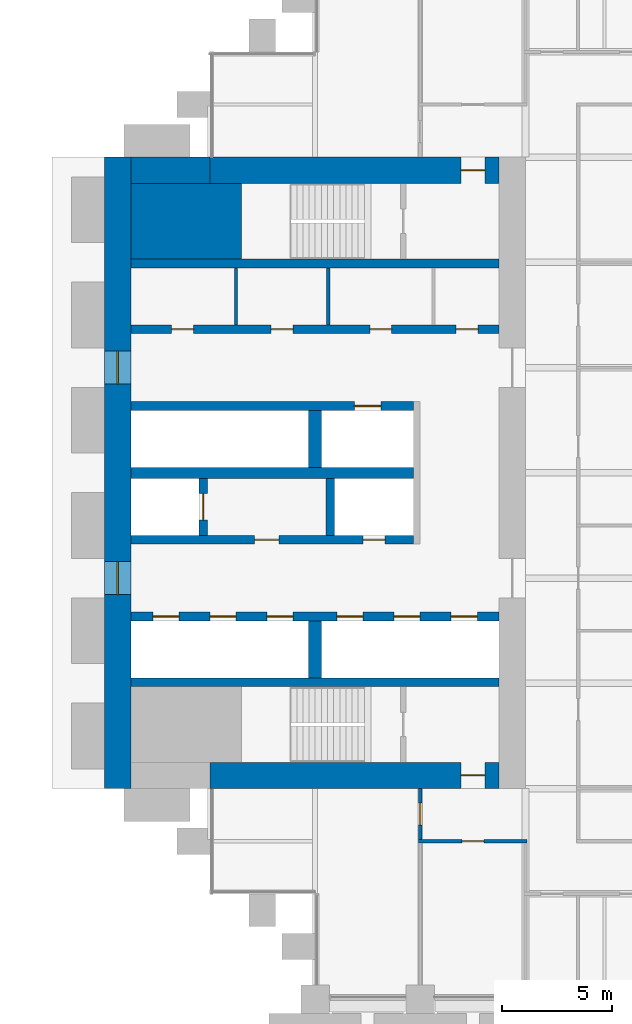
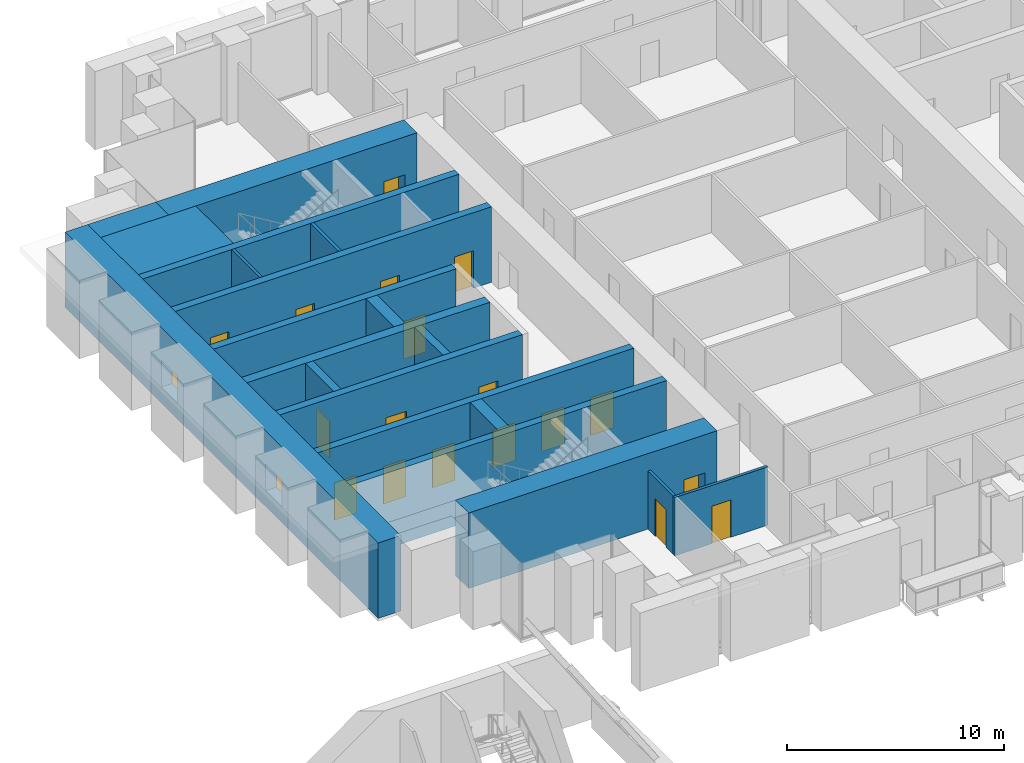
# One storey, part 23 of 32: 20 walls, 18 doors, 2 windows, 20 openings.
"""IFC4 building model written with IfcOpenShell, lengths in metres."""

from ifc_helpers import new_model, si_unit, direction, frame, frame_2d, origin, place, context, subcontext, project, spatial, rectangle, extrude, material, layer, layer_set, type_object, element, fill, save


model = new_model("IFC4")

# Units and contexts
model_context = context("Model", 3, precision=1e-05, world=origin(), true_north=direction((0.0, 1.0)))
body_context = subcontext(model_context, "Body", "Model", "MODEL_VIEW")
ifc_project = project(units=[si_unit("LENGTHUNIT", "METRE"), si_unit("AREAUNIT", "SQUARE_METRE"), si_unit("VOLUMEUNIT", "CUBIC_METRE"), si_unit("PLANEANGLEUNIT", "RADIAN"), si_unit("MASSUNIT", "GRAM", prefix="KILO")], contexts=[model_context])

# Site, building, storey
site_placement = place(None, origin())
site = spatial("IfcSite", under=ifc_project, at=site_placement, CompositionType="ELEMENT")
building_placement = place(site_placement, origin())
building = spatial("IfcBuilding", under=site, at=building_placement, Name="Baori Bourse Tower", CompositionType="ELEMENT")
storey_placement = place(building_placement, frame((0.0, 0.0, 21.39990234375)))
storey = spatial("IfcBuildingStorey", under=building, at=storey_placement, Name="L03", CompositionType="ELEMENT", Elevation=21.39990234375)

# Walls
ifc_material_1 = material(Name="Concrete f'c 70 MPa", Category="concrete")
wall_type_1 = type_object("IfcWallType", Name="Core corner block f'c 70", PredefinedType="SHEAR", material=ifc_material_1)
wall_1_placement = place(storey_placement, frame((1.199951171875, 35.47509765625, 0.0), z_axis=(0.0, 0.0, 1.0), x_axis=(1.0, 0.0, 0.0)))
element("IfcWall", 1, at=wall_1_placement, inside=storey, type_object=wall_type_1, Name="Core wall W22", PredefinedType="SHEAR", context=body_context, shape_type="SweptSolid", body=[
    extrude(rectangle(XDim=5.050048828125, YDim=3.449951171875, at=frame_2d((2.52490234375, 0.0))), origin(), (0.0, 0.0, 1.0), 4.239990234375),
])
ifc_material_2 = material(Name="Blockwork partition", Category="masonry")
ifc_layer_1 = layer(ifc_material_2, 0.14990234375)
ifc_layer_set_1 = layer_set([ifc_layer_1], Name="Core partition 150")
wall_type_2 = type_object("IfcWallType", Name="Core partition 150", PredefinedType="PARTITIONING", material=ifc_layer_set_1)
for number, where, z_axis, x_axis, name in (
    (2, (6.0, 30.75, 0.0), (0.0, 0.0, 1.0), (0.0, 1.0, 0.0), "Partition wall W18"),
    (3, (10.199951171875, 30.75, 0.0), (0.0, 0.0, 1.0), (0.0, 1.0, 0.0), "Partition wall W19"),
):
    element("IfcWall", number, at=place(storey_placement, frame(where, z_axis=z_axis, x_axis=x_axis)), inside=storey, type_object=wall_type_2, Name=name, PredefinedType="PARTITIONING", context=body_context, shape_type="SweptSolid", body=[
        extrude(rectangle(XDim=2.60009765625, YDim=0.14990234375, at=frame_2d((1.300048828125, 0.0))), origin(), (0.0, 0.0, 1.0), 4.239990234375),
    ])

# Wall, openings, windows
ifc_material_3 = material(Name="Concrete f'c 70 MPa", Category="concrete")
ifc_layer_2 = layer(ifc_material_3, 1.199951171875)
ifc_layer_set_2 = layer_set([ifc_layer_2], Name="Core wall 1200 f'c 70")
wall_type_3 = type_object("IfcWallType", Name="Core wall 1200 f'c 70", PredefinedType="SHEAR", material=ifc_layer_set_2)
wall_2_placement = place(storey_placement, frame((0.60009765625, 9.60009765625, 0.0), z_axis=(0.0, 0.0, 1.0), x_axis=(0.0, 1.0, 0.0)))
wall_2 = element("IfcWall", 4, at=wall_2_placement, inside=storey, type_object=wall_type_3, Name="Core wall W01", PredefinedType="SHEAR", context=body_context, shape_type="SweptSolid", body=[
    extrude(rectangle(XDim=28.7998046875, YDim=1.199951171875, at=frame_2d((14.39990234375, 0.0))), origin(), (0.0, 0.0, 1.0), 4.239990234375),
])
opening_1_placement = place(wall_2_placement, frame((8.85009765625, 0.0, 0.89990234375)))
opening_1 = element("IfcOpeningElement", 5, at=opening_1_placement, cuts=wall_2, Name="Opening L03-KW101", PredefinedType="OPENING", context=body_context, shape_type="SweptSolid", body=[
    extrude(rectangle(XDim=1.5, YDim=1.5, at=frame_2d((0.75, 0.75))), frame((0.0, 0.60986328125, 0.0), z_axis=(0.0, -1.0, 0.0), x_axis=(1.0, 0.0, 0.0)), (0.0, 0.0, 1.0), 1.219970703125),
])
opening_2_placement = place(wall_2_placement, frame((18.449951171875, 0.0, 0.89990234375)))
opening_2 = element("IfcOpeningElement", 6, at=opening_2_placement, cuts=wall_2, Name="Opening L03-KW102", PredefinedType="OPENING", context=body_context, shape_type="SweptSolid", body=[
    extrude(rectangle(XDim=1.5, YDim=1.5, at=frame_2d((0.75, 0.75))), frame((0.0, 0.60986328125, 0.0), z_axis=(0.0, -1.0, 0.0), x_axis=(1.0, 0.0, 0.0)), (0.0, 0.0, 1.0), 1.219970703125),
])
ifc_material_4 = material(Name="Pale anodised aluminium", Category="aluminium")
window_type = type_object("IfcWindowType", Name="Lobby window 1500 x 1500", PartitioningType="SINGLE_PANEL", PredefinedType="WINDOW", material=ifc_material_4)
window_1_placement = place(opening_1_placement, origin())
window_1 = element("IfcWindow", 7, at=window_1_placement, inside=storey, type_object=window_type, Name="Outer wall window W L03 1", OverallHeight=1.5, OverallWidth=1.5, PartitioningType="SINGLE_PANEL", PredefinedType="WINDOW", context=body_context, shape_type="SweptSolid", body=[
    extrude(rectangle(XDim=1.5, YDim=1.5, at=frame_2d((0.75, 0.75))), frame((0.0, 0.030029296875, 0.0), z_axis=(0.0, -1.0, 0.0), x_axis=(1.0, 0.0, 0.0)), (0.0, 0.0, 1.0), 0.06005859375),
])
fill(opening_1, window_1)
window_2_placement = place(opening_2_placement, origin())
window_2 = element("IfcWindow", 8, at=window_2_placement, inside=storey, type_object=window_type, Name="Outer wall window W L03 2", OverallHeight=1.5, OverallWidth=1.5, PartitioningType="SINGLE_PANEL", PredefinedType="WINDOW", context=body_context, shape_type="SweptSolid", body=[
    extrude(rectangle(XDim=1.5, YDim=1.5, at=frame_2d((0.75, 0.75))), frame((0.0, 0.030029296875, 0.0), z_axis=(0.0, -1.0, 0.0), x_axis=(1.0, 0.0, 0.0)), (0.0, 0.0, 1.0), 0.06005859375),
])
fill(opening_2, window_2)

# Wall, opening, door
wall_3_placement = place(storey_placement, frame((18.0, 10.199951171875, 0.0), z_axis=(0.0, 0.0, 1.0), x_axis=(-1.0, 0.0, 0.0)))
wall_3 = element("IfcWall", 9, at=wall_3_placement, inside=storey, type_object=wall_type_3, Name="Core wall W03", PredefinedType="SHEAR", context=body_context, shape_type="SweptSolid", body=[
    extrude(rectangle(XDim=13.199951171875, YDim=1.199951171875, at=frame_2d((6.60009765625, 0.0))), origin(), (0.0, 0.0, 1.0), 4.239990234375),
])
opening_3_placement = place(wall_3_placement, frame((0.64990234375, 0.0, 0.0)))
opening_3 = element("IfcOpeningElement", 10, at=opening_3_placement, cuts=wall_3, Name="Opening L03-D102", PredefinedType="OPENING", context=body_context, shape_type="SweptSolid", body=[
    extrude(rectangle(XDim=1.10009765625, YDim=2.10009765625, at=frame_2d((0.550048828125, 1.050048828125))), frame((0.0, 0.60986328125, 0.0), z_axis=(0.0, -1.0, 0.0), x_axis=(1.0, 0.0, 0.0)), (0.0, 0.0, 1.0), 1.219970703125),
])
ifc_material_5 = material(Name="Painted steel door", Category="steel")
door_type_1 = type_object("IfcDoorType", Name="Stair door 1100", OperationType="SINGLE_SWING_LEFT", PredefinedType="DOOR", material=ifc_material_5)
door_1_placement = place(opening_3_placement, origin())
door_1 = element("IfcDoor", 11, at=door_1_placement, inside=storey, type_object=door_type_1, Name="Stair vestibule door A W L03", OperationType="SINGLE_SWING_LEFT", OverallHeight=2.10009765625, OverallWidth=1.10009765625, PredefinedType="DOOR", context=body_context, shape_type="SweptSolid", body=[
    extrude(rectangle(XDim=1.10009765625, YDim=2.10009765625, at=frame_2d((0.550048828125, 1.050048828125))), frame((0.0, 0.02490234375, 0.0), z_axis=(0.0, -1.0, 0.0), x_axis=(1.0, 0.0, 0.0)), (0.0, 0.0, 1.0), 0.050048828125),
])
fill(opening_3, door_1)

# Wall
wall_4_placement = place(storey_placement, frame((1.199951171875, 37.800048828125, 0.0), z_axis=(0.0, 0.0, 1.0), x_axis=(1.0, 0.0, 0.0)))
element("IfcWall", 12, at=wall_4_placement, inside=storey, type_object=wall_type_3, Name="Core wall W24", PredefinedType="SHEAR", context=body_context, shape_type="SweptSolid", body=[
    extrude(rectangle(XDim=3.60009765625, YDim=1.199951171875, at=frame_2d((1.800048828125, 0.0))), origin(), (0.0, 0.0, 1.0), 4.239990234375),
])

# Wall, opening, door
wall_5_placement = place(storey_placement, frame((4.800048828125, 37.800048828125, 0.0), z_axis=(0.0, 0.0, 1.0), x_axis=(1.0, 0.0, 0.0)))
wall_5 = element("IfcWall", 13, at=wall_5_placement, inside=storey, type_object=wall_type_3, Name="Core wall W25", PredefinedType="SHEAR", context=body_context, shape_type="SweptSolid", body=[
    extrude(rectangle(XDim=13.199951171875, YDim=1.199951171875, at=frame_2d((6.60009765625, 0.0))), origin(), (0.0, 0.0, 1.0), 4.239990234375),
])
opening_4_placement = place(wall_5_placement, frame((11.449951171875, 0.0, 0.0)))
opening_4 = element("IfcOpeningElement", 14, at=opening_4_placement, cuts=wall_5, Name="Opening L03-D104", PredefinedType="OPENING", context=body_context, shape_type="SweptSolid", body=[
    extrude(rectangle(XDim=1.10009765625, YDim=2.10009765625, at=frame_2d((0.550048828125, 1.050048828125))), frame((0.0, 0.60986328125, 0.0), z_axis=(0.0, -1.0, 0.0), x_axis=(1.0, 0.0, 0.0)), (0.0, 0.0, 1.0), 1.219970703125),
])
door_2_placement = place(opening_4_placement, origin())
door_2 = element("IfcDoor", 15, at=door_2_placement, inside=storey, type_object=door_type_1, Name="Stair vestibule door B W L03", OperationType="SINGLE_SWING_LEFT", OverallHeight=2.10009765625, OverallWidth=1.10009765625, PredefinedType="DOOR", context=body_context, shape_type="SweptSolid", body=[
    extrude(rectangle(XDim=1.10009765625, YDim=2.10009765625, at=frame_2d((0.550048828125, 1.050048828125))), frame((0.0, 0.02490234375, 0.0), z_axis=(0.0, -1.0, 0.0), x_axis=(1.0, 0.0, 0.0)), (0.0, 0.0, 1.0), 0.050048828125),
])
fill(opening_4, door_2)

ifc_material_6 = material(Name="Gypsum board partition")
ifc_layer_3 = layer(ifc_material_6, 0.14990234375)
ifc_layer_set_3 = layer_set([ifc_layer_3], Name="Corridor partition 150")
wall_type_4 = type_object("IfcWallType", Name="Corridor partition 150", PredefinedType="PARTITIONING", material=ifc_layer_set_3)
wall_6_placement = place(storey_placement, frame((14.324951171875, 7.199951171875, 0.0), z_axis=(0.0, 0.0, 1.0), x_axis=(1.0, 0.0, 0.0)))
wall_6 = element("IfcWall", 16, at=wall_6_placement, inside=storey, type_object=wall_type_4, Name="Partition", PredefinedType="PARTITIONING", context=body_context, shape_type="SweptSolid", body=[
    extrude(rectangle(XDim=4.949951171875, YDim=0.14990234375, at=frame_2d((2.47509765625, 0.0))), origin(), (0.0, 0.0, 1.0), 3.269775390625),
])
opening_5_placement = place(wall_6_placement, frame((1.97509765625, 0.0, 0.0)))
opening_5 = element("IfcOpeningElement", 17, at=opening_5_placement, cuts=wall_6, Name="Opening L03-D05", PredefinedType="OPENING", context=body_context, shape_type="SweptSolid", body=[
    extrude(rectangle(XDim=1.0, YDim=2.10009765625, at=frame_2d((0.5, 1.050048828125))), frame((0.0, 0.0849609375, 0.0), z_axis=(0.0, -1.0, 0.0), x_axis=(1.0, 0.0, 0.0)), (0.0, 0.0, 1.0), 0.169921875),
])
ifc_material_7 = material(Name="Timber door leaf", Category="wood")
door_type_2 = type_object("IfcDoorType", Name="Door 1000 x 2100", OperationType="SINGLE_SWING_LEFT", PredefinedType="DOOR", material=ifc_material_7)
door_3_placement = place(opening_5_placement, origin())
door_3 = element("IfcDoor", 18, at=door_3_placement, inside=storey, type_object=door_type_2, Name="Door", OperationType="SINGLE_SWING_RIGHT", OverallHeight=2.10009765625, OverallWidth=1.0, PredefinedType="DOOR", context=body_context, shape_type="SweptSolid", body=[
    extrude(rectangle(XDim=1.0, YDim=2.10009765625, at=frame_2d((0.5, 1.050048828125))), frame((0.0, 0.02490234375, 0.0), z_axis=(0.0, -1.0, 0.0), x_axis=(1.0, 0.0, 0.0)), (0.0, 0.0, 1.0), 0.050048828125),
])
fill(opening_5, door_3)

wall_7_placement = place(storey_placement, frame((14.39990234375, 7.27490234375, 0.0), z_axis=(0.0, 0.0, 1.0), x_axis=(0.0, 1.0, 0.0)))
wall_7 = element("IfcWall", 19, at=wall_7_placement, inside=storey, type_object=wall_type_4, Name="Partition", PredefinedType="PARTITIONING", context=body_context, shape_type="SweptSolid", body=[
    extrude(rectangle(XDim=2.3251953125, YDim=0.14990234375, at=frame_2d((1.16259765625, 0.0))), origin(), (0.0, 0.0, 1.0), 3.269775390625),
])
opening_6_placement = place(wall_7_placement, frame((0.66259765625, 0.0, 0.0)))
opening_6 = element("IfcOpeningElement", 20, at=opening_6_placement, cuts=wall_7, Name="Opening L03-D19", PredefinedType="OPENING", context=body_context, shape_type="SweptSolid", body=[
    extrude(rectangle(XDim=1.0, YDim=2.10009765625, at=frame_2d((0.5, 1.050048828125))), frame((0.0, 0.0849609375, 0.0), z_axis=(0.0, -1.0, 0.0), x_axis=(1.0, 0.0, 0.0)), (0.0, 0.0, 1.0), 0.169921875),
])
door_4_placement = place(opening_6_placement, origin())
door_4 = element("IfcDoor", 21, at=door_4_placement, inside=storey, type_object=door_type_2, Name="Door", OperationType="SINGLE_SWING_RIGHT", OverallHeight=2.10009765625, OverallWidth=1.0, PredefinedType="DOOR", context=body_context, shape_type="SweptSolid", body=[
    extrude(rectangle(XDim=1.0, YDim=2.10009765625, at=frame_2d((0.5, 1.050048828125))), frame((0.0, 0.02490234375, 0.0), z_axis=(0.0, -1.0, 0.0), x_axis=(1.0, 0.0, 0.0)), (0.0, 0.0, 1.0), 0.050048828125),
])
fill(opening_6, door_4)

# Wall
ifc_material_8 = material(Name="Concrete f'c 70 MPa", Category="concrete")
ifc_layer_4 = layer(ifc_material_8, 0.39990234375)
ifc_layer_set_4 = layer_set([ifc_layer_4], Name="Shaft wall 400 f'c 70")
wall_type_5 = type_object("IfcWallType", Name="Shaft wall 400 f'c 70", PredefinedType="SHEAR", material=ifc_layer_set_4)
wall_8_placement = place(storey_placement, frame((1.199951171875, 14.449951171875, 0.0), z_axis=(0.0, 0.0, 1.0), x_axis=(1.0, 0.0, 0.0)))
element("IfcWall", 22, at=wall_8_placement, inside=storey, type_object=wall_type_5, Name="Core wall W07", PredefinedType="SHEAR", context=body_context, shape_type="SweptSolid", body=[
    extrude(rectangle(XDim=16.800048828125, YDim=0.39990234375, at=frame_2d((8.39990234375, 0.0))), origin(), (0.0, 0.0, 1.0), 4.239990234375),
])

# Wall, openings, doors
wall_9_placement = place(storey_placement, frame((1.199951171875, 17.449951171875, 0.0), z_axis=(0.0, 0.0, 1.0), x_axis=(1.0, 0.0, 0.0)))
wall_9 = element("IfcWall", 23, at=wall_9_placement, inside=storey, type_object=wall_type_5, Name="Core wall W09", PredefinedType="SHEAR", context=body_context, shape_type="SweptSolid", body=[
    extrude(rectangle(XDim=16.800048828125, YDim=0.39990234375, at=frame_2d((8.39990234375, 0.0))), origin(), (0.0, 0.0, 1.0), 4.239990234375),
])
opening_7_placement = place(wall_9_placement, frame((1.0, 0.0, 0.0)))
opening_7 = element("IfcOpeningElement", 24, at=opening_7_placement, cuts=wall_9, Name="Opening L03-D113", PredefinedType="OPENING", context=body_context, shape_type="SweptSolid", body=[
    extrude(rectangle(XDim=1.199951171875, YDim=2.10009765625, at=frame_2d((0.60009765625, 1.050048828125))), frame((0.0, 0.2099609375, 0.0), z_axis=(0.0, -1.0, 0.0), x_axis=(1.0, 0.0, 0.0)), (0.0, 0.0, 1.0), 0.419921875),
])
opening_8_placement = place(wall_9_placement, frame((3.60009765625, 0.0, 0.0)))
opening_8 = element("IfcOpeningElement", 25, at=opening_8_placement, cuts=wall_9, Name="Opening L03-D114", PredefinedType="OPENING", context=body_context, shape_type="SweptSolid", body=[
    extrude(rectangle(XDim=1.199951171875, YDim=2.10009765625, at=frame_2d((0.60009765625, 1.050048828125))), frame((0.0, 0.2099609375, 0.0), z_axis=(0.0, -1.0, 0.0), x_axis=(1.0, 0.0, 0.0)), (0.0, 0.0, 1.0), 0.419921875),
])
opening_9_placement = place(wall_9_placement, frame((6.199951171875, 0.0, 0.0)))
opening_9 = element("IfcOpeningElement", 26, at=opening_9_placement, cuts=wall_9, Name="Opening L03-D115", PredefinedType="OPENING", context=body_context, shape_type="SweptSolid", body=[
    extrude(rectangle(XDim=1.199951171875, YDim=2.10009765625, at=frame_2d((0.60009765625, 1.050048828125))), frame((0.0, 0.2099609375, 0.0), z_axis=(0.0, -1.0, 0.0), x_axis=(1.0, 0.0, 0.0)), (0.0, 0.0, 1.0), 0.419921875),
])
opening_10_placement = place(wall_9_placement, frame((9.39990234375, 0.0, 0.0)))
opening_10 = element("IfcOpeningElement", 27, at=opening_10_placement, cuts=wall_9, Name="Opening L03-D116", PredefinedType="OPENING", context=body_context, shape_type="SweptSolid", body=[
    extrude(rectangle(XDim=1.199951171875, YDim=2.10009765625, at=frame_2d((0.60009765625, 1.050048828125))), frame((0.0, 0.2099609375, 0.0), z_axis=(0.0, -1.0, 0.0), x_axis=(1.0, 0.0, 0.0)), (0.0, 0.0, 1.0), 0.419921875),
])
opening_11_placement = place(wall_9_placement, frame((12.0, 0.0, 0.0)))
opening_11 = element("IfcOpeningElement", 28, at=opening_11_placement, cuts=wall_9, Name="Opening L03-D117", PredefinedType="OPENING", context=body_context, shape_type="SweptSolid", body=[
    extrude(rectangle(XDim=1.199951171875, YDim=2.10009765625, at=frame_2d((0.60009765625, 1.050048828125))), frame((0.0, 0.2099609375, 0.0), z_axis=(0.0, -1.0, 0.0), x_axis=(1.0, 0.0, 0.0)), (0.0, 0.0, 1.0), 0.419921875),
])
opening_12_placement = place(wall_9_placement, frame((14.60009765625, 0.0, 0.0)))
opening_12 = element("IfcOpeningElement", 29, at=opening_12_placement, cuts=wall_9, Name="Opening L03-D118", PredefinedType="OPENING", context=body_context, shape_type="SweptSolid", body=[
    extrude(rectangle(XDim=1.199951171875, YDim=2.10009765625, at=frame_2d((0.60009765625, 1.050048828125))), frame((0.0, 0.2099609375, 0.0), z_axis=(0.0, -1.0, 0.0), x_axis=(1.0, 0.0, 0.0)), (0.0, 0.0, 1.0), 0.419921875),
])
ifc_material_9 = material(Name="Stainless steel door", Category="steel")
door_type_3 = type_object("IfcDoorType", Name="Lift landing door", OperationType="DOUBLE_DOOR_SLIDING", PredefinedType="DOOR", material=ifc_material_9)
door_5_placement = place(opening_7_placement, origin())
door_5 = element("IfcDoor", 30, at=door_5_placement, inside=storey, type_object=door_type_3, Name="Lift landing door LR1 W L03", OperationType="DOUBLE_DOOR_SLIDING", OverallHeight=2.10009765625, OverallWidth=1.199951171875, PredefinedType="DOOR", context=body_context, shape_type="SweptSolid", body=[
    extrude(rectangle(XDim=1.199951171875, YDim=2.10009765625, at=frame_2d((0.60009765625, 1.050048828125))), frame((0.0, 0.02490234375, 0.0), z_axis=(0.0, -1.0, 0.0), x_axis=(1.0, 0.0, 0.0)), (0.0, 0.0, 1.0), 0.050048828125),
])
fill(opening_7, door_5)
door_6_placement = place(opening_8_placement, origin())
door_6 = element("IfcDoor", 31, at=door_6_placement, inside=storey, type_object=door_type_3, Name="Lift landing door LR2 W L03", OperationType="DOUBLE_DOOR_SLIDING", OverallHeight=2.10009765625, OverallWidth=1.199951171875, PredefinedType="DOOR", context=body_context, shape_type="SweptSolid", body=[
    extrude(rectangle(XDim=1.199951171875, YDim=2.10009765625, at=frame_2d((0.60009765625, 1.050048828125))), frame((0.0, 0.02490234375, 0.0), z_axis=(0.0, -1.0, 0.0), x_axis=(1.0, 0.0, 0.0)), (0.0, 0.0, 1.0), 0.050048828125),
])
fill(opening_8, door_6)
door_7_placement = place(opening_9_placement, origin())
door_7 = element("IfcDoor", 32, at=door_7_placement, inside=storey, type_object=door_type_3, Name="Lift landing door LR3 W L03", OperationType="DOUBLE_DOOR_SLIDING", OverallHeight=2.10009765625, OverallWidth=1.199951171875, PredefinedType="DOOR", context=body_context, shape_type="SweptSolid", body=[
    extrude(rectangle(XDim=1.199951171875, YDim=2.10009765625, at=frame_2d((0.60009765625, 1.050048828125))), frame((0.0, 0.02490234375, 0.0), z_axis=(0.0, -1.0, 0.0), x_axis=(1.0, 0.0, 0.0)), (0.0, 0.0, 1.0), 0.050048828125),
])
fill(opening_9, door_7)
door_8_placement = place(opening_10_placement, origin())
door_8 = element("IfcDoor", 33, at=door_8_placement, inside=storey, type_object=door_type_3, Name="Lift landing door LR4 W L03", OperationType="DOUBLE_DOOR_SLIDING", OverallHeight=2.10009765625, OverallWidth=1.199951171875, PredefinedType="DOOR", context=body_context, shape_type="SweptSolid", body=[
    extrude(rectangle(XDim=1.199951171875, YDim=2.10009765625, at=frame_2d((0.60009765625, 1.050048828125))), frame((0.0, 0.02490234375, 0.0), z_axis=(0.0, -1.0, 0.0), x_axis=(1.0, 0.0, 0.0)), (0.0, 0.0, 1.0), 0.050048828125),
])
fill(opening_10, door_8)
door_9_placement = place(opening_11_placement, origin())
door_9 = element("IfcDoor", 34, at=door_9_placement, inside=storey, type_object=door_type_3, Name="Lift landing door LR5 W L03", OperationType="DOUBLE_DOOR_SLIDING", OverallHeight=2.10009765625, OverallWidth=1.199951171875, PredefinedType="DOOR", context=body_context, shape_type="SweptSolid", body=[
    extrude(rectangle(XDim=1.199951171875, YDim=2.10009765625, at=frame_2d((0.60009765625, 1.050048828125))), frame((0.0, 0.02490234375, 0.0), z_axis=(0.0, -1.0, 0.0), x_axis=(1.0, 0.0, 0.0)), (0.0, 0.0, 1.0), 0.050048828125),
])
fill(opening_11, door_9)
door_10_placement = place(opening_12_placement, origin())
door_10 = element("IfcDoor", 35, at=door_10_placement, inside=storey, type_object=door_type_3, Name="Lift landing door LR6 W L03", OperationType="DOUBLE_DOOR_SLIDING", OverallHeight=2.10009765625, OverallWidth=1.199951171875, PredefinedType="DOOR", context=body_context, shape_type="SweptSolid", body=[
    extrude(rectangle(XDim=1.199951171875, YDim=2.10009765625, at=frame_2d((0.60009765625, 1.050048828125))), frame((0.0, 0.02490234375, 0.0), z_axis=(0.0, -1.0, 0.0), x_axis=(1.0, 0.0, 0.0)), (0.0, 0.0, 1.0), 0.050048828125),
])
fill(opening_12, door_10)

wall_10_placement = place(storey_placement, frame((1.199951171875, 20.949951171875, 0.0), z_axis=(0.0, 0.0, 1.0), x_axis=(1.0, 0.0, 0.0)))
wall_10 = element("IfcWall", 36, at=wall_10_placement, inside=storey, type_object=wall_type_5, Name="Core wall W10", PredefinedType="SHEAR", context=body_context, shape_type="SweptSolid", body=[
    extrude(rectangle(XDim=12.900146484375, YDim=0.39990234375, at=frame_2d((6.4501953125, 0.0))), origin(), (0.0, 0.0, 1.0), 4.239990234375),
])
opening_13_placement = place(wall_10_placement, frame((5.64990234375, 0.0, 0.0)))
opening_13 = element("IfcOpeningElement", 37, at=opening_13_placement, cuts=wall_10, Name="Opening L03-D105", PredefinedType="OPENING", context=body_context, shape_type="SweptSolid", body=[
    extrude(rectangle(XDim=1.10009765625, YDim=2.10009765625, at=frame_2d((0.550048828125, 1.050048828125))), frame((0.0, 0.2099609375, 0.0), z_axis=(0.0, -1.0, 0.0), x_axis=(1.0, 0.0, 0.0)), (0.0, 0.0, 1.0), 0.419921875),
])
opening_14_placement = place(wall_10_placement, frame((10.60009765625, 0.0, 0.0)))
opening_14 = element("IfcOpeningElement", 38, at=opening_14_placement, cuts=wall_10, Name="Opening L03-D106", PredefinedType="OPENING", context=body_context, shape_type="SweptSolid", body=[
    extrude(rectangle(XDim=1.0, YDim=2.10009765625, at=frame_2d((0.5, 1.050048828125))), frame((0.0, 0.2099609375, 0.0), z_axis=(0.0, -1.0, 0.0), x_axis=(1.0, 0.0, 0.0)), (0.0, 0.0, 1.0), 0.419921875),
])
ifc_material_10 = material(Name="Painted steel door", Category="steel")
door_type_4 = type_object("IfcDoorType", Name="Lobby door 1100", OperationType="SINGLE_SWING_LEFT", PredefinedType="DOOR", material=ifc_material_10)
door_11_placement = place(opening_13_placement, origin())
door_11 = element("IfcDoor", 39, at=door_11_placement, inside=storey, type_object=door_type_4, Name="Firefighting lobby door W L03", OperationType="SINGLE_SWING_LEFT", OverallHeight=2.10009765625, OverallWidth=1.10009765625, PredefinedType="DOOR", context=body_context, shape_type="SweptSolid", body=[
    extrude(rectangle(XDim=1.10009765625, YDim=2.10009765625, at=frame_2d((0.550048828125, 1.050048828125))), frame((0.0, 0.02490234375, 0.0), z_axis=(0.0, -1.0, 0.0), x_axis=(1.0, 0.0, 0.0)), (0.0, 0.0, 1.0), 0.050048828125),
])
fill(opening_13, door_11)
ifc_material_11 = material(Name="Painted steel door", Category="steel")
door_type_5 = type_object("IfcDoorType", Name="Shaft door 1000", OperationType="SINGLE_SWING_LEFT", PredefinedType="DOOR", material=ifc_material_11)
door_12_placement = place(opening_14_placement, origin())
door_12 = element("IfcDoor", 40, at=door_12_placement, inside=storey, type_object=door_type_5, Name="Riser room door W L03", OperationType="SINGLE_SWING_LEFT", OverallHeight=2.10009765625, OverallWidth=1.0, PredefinedType="DOOR", context=body_context, shape_type="SweptSolid", body=[
    extrude(rectangle(XDim=1.0, YDim=2.10009765625, at=frame_2d((0.5, 1.050048828125))), frame((0.0, 0.02490234375, 0.0), z_axis=(0.0, -1.0, 0.0), x_axis=(1.0, 0.0, 0.0)), (0.0, 0.0, 1.0), 0.050048828125),
])
fill(opening_14, door_12)

# Wall, opening, door
wall_11_placement = place(storey_placement, frame((4.5, 21.14990234375, 0.0), z_axis=(0.0, 0.0, 1.0), x_axis=(0.0, 1.0, 0.0)))
wall_11 = element("IfcWall", 41, at=wall_11_placement, inside=storey, type_object=wall_type_5, Name="Core wall W12", PredefinedType="SHEAR", context=body_context, shape_type="SweptSolid", body=[
    extrude(rectangle(XDim=2.60009765625, YDim=0.39990234375, at=frame_2d((1.300048828125, 0.0))), origin(), (0.0, 0.0, 1.0), 4.239990234375),
])
opening_15_placement = place(wall_11_placement, frame((0.699951171875, 0.0, 0.0)))
opening_15 = element("IfcOpeningElement", 42, at=opening_15_placement, cuts=wall_11, Name="Opening L03-D120", PredefinedType="OPENING", context=body_context, shape_type="SweptSolid", body=[
    extrude(rectangle(XDim=1.199951171875, YDim=2.10009765625, at=frame_2d((0.60009765625, 1.050048828125))), frame((0.0, 0.2099609375, 0.0), z_axis=(0.0, -1.0, 0.0), x_axis=(1.0, 0.0, 0.0)), (0.0, 0.0, 1.0), 0.419921875),
])
door_13_placement = place(opening_15_placement, origin())
door_13 = element("IfcDoor", 43, at=door_13_placement, inside=storey, type_object=door_type_3, Name="Lift landing door FF1 W L03", OperationType="DOUBLE_DOOR_SLIDING", OverallHeight=2.10009765625, OverallWidth=1.199951171875, PredefinedType="DOOR", context=body_context, shape_type="SweptSolid", body=[
    extrude(rectangle(XDim=1.199951171875, YDim=2.10009765625, at=frame_2d((0.60009765625, 1.050048828125))), frame((0.0, 0.02490234375, 0.0), z_axis=(0.0, -1.0, 0.0), x_axis=(1.0, 0.0, 0.0)), (0.0, 0.0, 1.0), 0.050048828125),
])
fill(opening_15, door_13)

# Wall
wall_12_placement = place(storey_placement, frame((10.300048828125, 21.14990234375, 0.0), z_axis=(0.0, 0.0, 1.0), x_axis=(0.0, 1.0, 0.0)))
element("IfcWall", 44, at=wall_12_placement, inside=storey, type_object=wall_type_5, Name="Core wall W13", PredefinedType="SHEAR", context=body_context, shape_type="SweptSolid", body=[
    extrude(rectangle(XDim=2.60009765625, YDim=0.39990234375, at=frame_2d((1.300048828125, 0.0))), origin(), (0.0, 0.0, 1.0), 4.239990234375),
])

# Wall, opening, door
wall_13_placement = place(storey_placement, frame((1.199951171875, 27.050048828125, 0.0), z_axis=(0.0, 0.0, 1.0), x_axis=(1.0, 0.0, 0.0)))
wall_13 = element("IfcWall", 45, at=wall_13_placement, inside=storey, type_object=wall_type_5, Name="Core wall W16", PredefinedType="SHEAR", context=body_context, shape_type="SweptSolid", body=[
    extrude(rectangle(XDim=12.900146484375, YDim=0.39990234375, at=frame_2d((6.4501953125, 0.0))), origin(), (0.0, 0.0, 1.0), 4.239990234375),
])
opening_16_placement = place(wall_13_placement, frame((10.199951171875, 0.0, 0.0)))
opening_16 = element("IfcOpeningElement", 46, at=opening_16_placement, cuts=wall_13, Name="Opening L03-D119", PredefinedType="OPENING", context=body_context, shape_type="SweptSolid", body=[
    extrude(rectangle(XDim=1.199951171875, YDim=2.10009765625, at=frame_2d((0.60009765625, 1.050048828125))), frame((0.0, 0.2099609375, 0.0), z_axis=(0.0, -1.0, 0.0), x_axis=(1.0, 0.0, 0.0)), (0.0, 0.0, 1.0), 0.419921875),
])
door_14_placement = place(opening_16_placement, origin())
door_14 = element("IfcDoor", 47, at=door_14_placement, inside=storey, type_object=door_type_3, Name="Lift landing door SV1 W L03", OperationType="DOUBLE_DOOR_SLIDING", OverallHeight=2.10009765625, OverallWidth=1.199951171875, PredefinedType="DOOR", context=body_context, shape_type="SweptSolid", body=[
    extrude(rectangle(XDim=1.199951171875, YDim=2.10009765625, at=frame_2d((0.60009765625, 1.050048828125))), frame((0.0, 0.02490234375, 0.0), z_axis=(0.0, -1.0, 0.0), x_axis=(1.0, 0.0, 0.0)), (0.0, 0.0, 1.0), 0.050048828125),
])
fill(opening_16, door_14)

# Wall, openings, doors
wall_14_placement = place(storey_placement, frame((1.199951171875, 30.550048828125, 0.0), z_axis=(0.0, 0.0, 1.0), x_axis=(1.0, 0.0, 0.0)))
wall_14 = element("IfcWall", 48, at=wall_14_placement, inside=storey, type_object=wall_type_5, Name="Core wall W17", PredefinedType="SHEAR", context=body_context, shape_type="SweptSolid", body=[
    extrude(rectangle(XDim=16.800048828125, YDim=0.39990234375, at=frame_2d((8.39990234375, 0.0))), origin(), (0.0, 0.0, 1.0), 4.239990234375),
])
opening_17_placement = place(wall_14_placement, frame((1.862548828125, 0.0, 0.0)))
opening_17 = element("IfcOpeningElement", 49, at=opening_17_placement, cuts=wall_14, Name="Opening L03-D109", PredefinedType="OPENING", context=body_context, shape_type="SweptSolid", body=[
    extrude(rectangle(XDim=1.0, YDim=2.10009765625, at=frame_2d((0.5, 1.050048828125))), frame((0.0, 0.2099609375, 0.0), z_axis=(0.0, -1.0, 0.0), x_axis=(1.0, 0.0, 0.0)), (0.0, 0.0, 1.0), 0.419921875),
])
opening_18_placement = place(wall_14_placement, frame((6.39990234375, 0.0, 0.0)))
opening_18 = element("IfcOpeningElement", 50, at=opening_18_placement, cuts=wall_14, Name="Opening L03-D110", PredefinedType="OPENING", context=body_context, shape_type="SweptSolid", body=[
    extrude(rectangle(XDim=1.0, YDim=2.10009765625, at=frame_2d((0.5, 1.050048828125))), frame((0.0, 0.2099609375, 0.0), z_axis=(0.0, -1.0, 0.0), x_axis=(1.0, 0.0, 0.0)), (0.0, 0.0, 1.0), 0.419921875),
])
opening_19_placement = place(wall_14_placement, frame((10.89990234375, 0.0, 0.0)))
opening_19 = element("IfcOpeningElement", 51, at=opening_19_placement, cuts=wall_14, Name="Opening L03-D111", PredefinedType="OPENING", context=body_context, shape_type="SweptSolid", body=[
    extrude(rectangle(XDim=1.0, YDim=2.10009765625, at=frame_2d((0.5, 1.050048828125))), frame((0.0, 0.2099609375, 0.0), z_axis=(0.0, -1.0, 0.0), x_axis=(1.0, 0.0, 0.0)), (0.0, 0.0, 1.0), 0.419921875),
])
opening_20_placement = place(wall_14_placement, frame((14.83740234375, 0.0, 0.0)))
opening_20 = element("IfcOpeningElement", 52, at=opening_20_placement, cuts=wall_14, Name="Opening L03-D112", PredefinedType="OPENING", context=body_context, shape_type="SweptSolid", body=[
    extrude(rectangle(XDim=1.0, YDim=2.10009765625, at=frame_2d((0.5, 1.050048828125))), frame((0.0, 0.2099609375, 0.0), z_axis=(0.0, -1.0, 0.0), x_axis=(1.0, 0.0, 0.0)), (0.0, 0.0, 1.0), 0.419921875),
])
ifc_material_12 = material(Name="Painted steel door", Category="steel")
door_type_6 = type_object("IfcDoorType", Name="Core door 1000", OperationType="SINGLE_SWING_LEFT", PredefinedType="DOOR", material=ifc_material_12)
door_15_placement = place(opening_17_placement, origin())
door_15 = element("IfcDoor", 53, at=door_15_placement, inside=storey, type_object=door_type_6, Name="Men'S Wc door W L03", OperationType="SINGLE_SWING_LEFT", OverallHeight=2.10009765625, OverallWidth=1.0, PredefinedType="DOOR", context=body_context, shape_type="SweptSolid", body=[
    extrude(rectangle(XDim=1.0, YDim=2.10009765625, at=frame_2d((0.5, 1.050048828125))), frame((0.0, 0.02490234375, 0.0), z_axis=(0.0, -1.0, 0.0), x_axis=(1.0, 0.0, 0.0)), (0.0, 0.0, 1.0), 0.050048828125),
])
fill(opening_17, door_15)
door_16_placement = place(opening_18_placement, origin())
door_16 = element("IfcDoor", 54, at=door_16_placement, inside=storey, type_object=door_type_6, Name="Accessible Wc door W L03", OperationType="SINGLE_SWING_LEFT", OverallHeight=2.10009765625, OverallWidth=1.0, PredefinedType="DOOR", context=body_context, shape_type="SweptSolid", body=[
    extrude(rectangle(XDim=1.0, YDim=2.10009765625, at=frame_2d((0.5, 1.050048828125))), frame((0.0, 0.02490234375, 0.0), z_axis=(0.0, -1.0, 0.0), x_axis=(1.0, 0.0, 0.0)), (0.0, 0.0, 1.0), 0.050048828125),
])
fill(opening_18, door_16)
door_17_placement = place(opening_19_placement, origin())
door_17 = element("IfcDoor", 55, at=door_17_placement, inside=storey, type_object=door_type_6, Name="Women'S Wc door W L03", OperationType="SINGLE_SWING_LEFT", OverallHeight=2.10009765625, OverallWidth=1.0, PredefinedType="DOOR", context=body_context, shape_type="SweptSolid", body=[
    extrude(rectangle(XDim=1.0, YDim=2.10009765625, at=frame_2d((0.5, 1.050048828125))), frame((0.0, 0.02490234375, 0.0), z_axis=(0.0, -1.0, 0.0), x_axis=(1.0, 0.0, 0.0)), (0.0, 0.0, 1.0), 0.050048828125),
])
fill(opening_19, door_17)
ifc_material_13 = material(Name="Painted steel door", Category="steel")
door_type_7 = type_object("IfcDoorType", Name="Plant room door 1000", OperationType="SINGLE_SWING_LEFT", PredefinedType="DOOR", material=ifc_material_13)
door_18_placement = place(opening_20_placement, origin())
door_18 = element("IfcDoor", 56, at=door_18_placement, inside=storey, type_object=door_type_7, Name="Electrical Room door W L03", OperationType="SINGLE_SWING_LEFT", OverallHeight=2.10009765625, OverallWidth=1.0, PredefinedType="DOOR", context=body_context, shape_type="SweptSolid", body=[
    extrude(rectangle(XDim=1.0, YDim=2.10009765625, at=frame_2d((0.5, 1.050048828125))), frame((0.0, 0.02490234375, 0.0), z_axis=(0.0, -1.0, 0.0), x_axis=(1.0, 0.0, 0.0)), (0.0, 0.0, 1.0), 0.050048828125),
])
fill(opening_20, door_18)

# Walls
wall_15_placement = place(storey_placement, frame((1.199951171875, 33.550048828125, 0.0), z_axis=(0.0, 0.0, 1.0), x_axis=(1.0, 0.0, 0.0)))
element("IfcWall", 57, at=wall_15_placement, inside=storey, type_object=wall_type_5, Name="Core wall W21", PredefinedType="SHEAR", context=body_context, shape_type="SweptSolid", body=[
    extrude(rectangle(XDim=16.800048828125, YDim=0.39990234375, at=frame_2d((8.39990234375, 0.0))), origin(), (0.0, 0.0, 1.0), 4.239990234375),
])
ifc_material_14 = material(Name="Concrete f'c 70 MPa", Category="concrete")
ifc_layer_5 = layer(ifc_material_14, 0.5)
ifc_layer_set_5 = layer_set([ifc_layer_5], Name="Shaft wall 500 f'c 70")
wall_type_6 = type_object("IfcWallType", Name="Shaft wall 500 f'c 70", PredefinedType="SHEAR", material=ifc_layer_set_5)
wall_16_placement = place(storey_placement, frame((1.199951171875, 24.0, 0.0), z_axis=(0.0, 0.0, 1.0), x_axis=(1.0, 0.0, 0.0)))
element("IfcWall", 58, at=wall_16_placement, inside=storey, type_object=wall_type_6, Name="Core wall W14", PredefinedType="SHEAR", context=body_context, shape_type="SweptSolid", body=[
    extrude(rectangle(XDim=12.900146484375, YDim=0.5, at=frame_2d((6.4501953125, 0.0))), origin(), (0.0, 0.0, 1.0), 4.239990234375),
])
ifc_material_15 = material(Name="Concrete f'c 70 MPa", Category="concrete")
ifc_layer_6 = layer(ifc_material_15, 0.60009765625)
ifc_layer_set_6 = layer_set([ifc_layer_6], Name="Shaft wall 600 f'c 70")
wall_type_7 = type_object("IfcWallType", Name="Shaft wall 600 f'c 70", PredefinedType="SHEAR", material=ifc_layer_set_6)
for number, where, z_axis, x_axis, name in (
    (59, (9.60009765625, 14.64990234375, 0.0), (0.0, 0.0, 1.0), (0.0, 1.0, 0.0), "Core wall W08"),
    (60, (9.60009765625, 24.25, 0.0), (0.0, 0.0, 1.0), (0.0, 1.0, 0.0), "Core wall W15"),
):
    element("IfcWall", number, at=place(storey_placement, frame(where, z_axis=z_axis, x_axis=x_axis)), inside=storey, type_object=wall_type_7, Name=name, PredefinedType="SHEAR", context=body_context, shape_type="SweptSolid", body=[
        extrude(rectangle(XDim=2.60009765625, YDim=0.60009765625, at=frame_2d((1.300048828125, 0.0))), origin(), (0.0, 0.0, 1.0), 4.239990234375),
    ])

save(model, "model.ifc")
